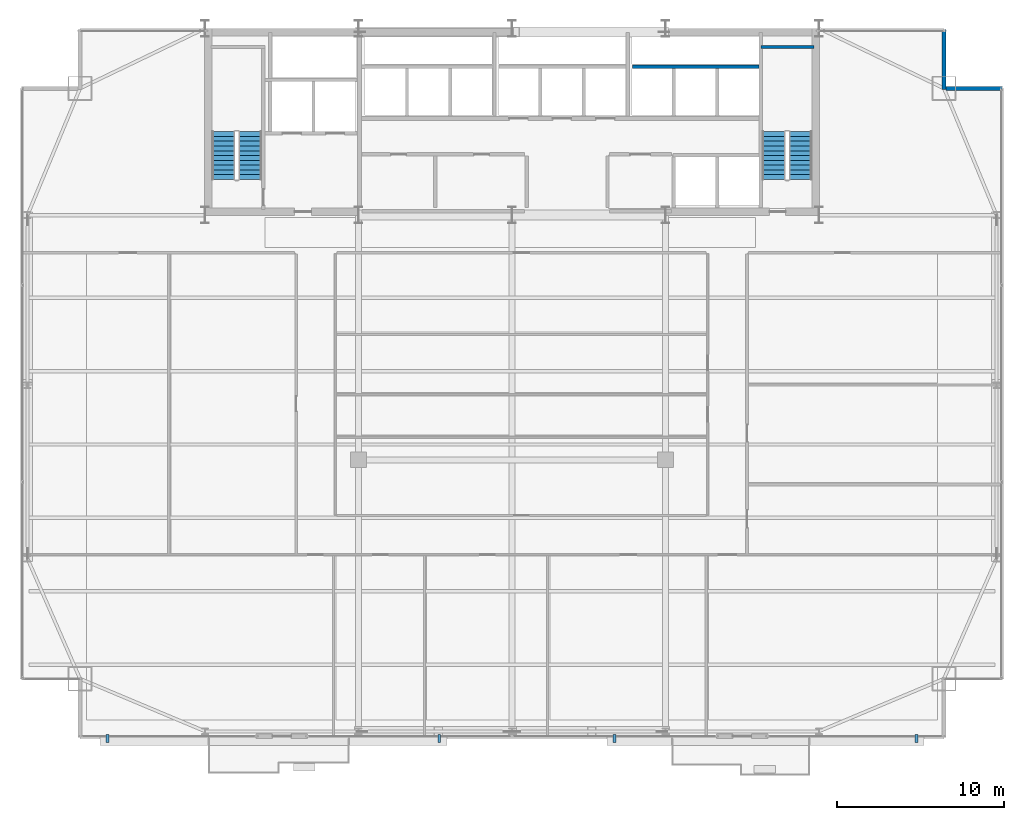
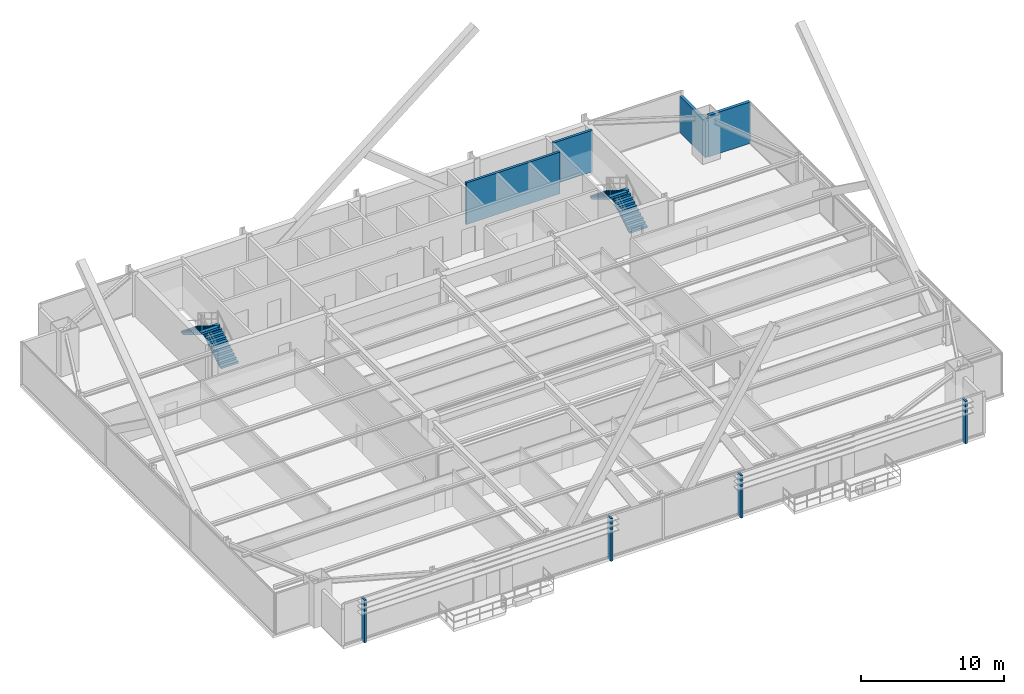
# One storey, part 35 of 37: 4 discrete accessories, 4 stair flights, 4 walls, 2 elements without a shape of their own.
"""IFC4 building model written with IfcOpenShell, lengths in metres."""

from ifc_helpers import new_model, si_unit, direction, frame, frame_2d, origin, origin_2d, place, context, subcontext, project, spatial, polyline, rectangle, outline, extrude, source, transform, mapped, material, layer, layer_set, type_object, type_shapes, element, aggregate, save


model = new_model("IFC4")

# Units and contexts
model_context = context("Model", 3, precision=1e-05, world=origin(), true_north=direction((0.0, 1.0)))
body_context = subcontext(model_context, "Body", "Model", "MODEL_VIEW")
ifc_project = project(units=[si_unit("LENGTHUNIT", "METRE"), si_unit("AREAUNIT", "SQUARE_METRE"), si_unit("VOLUMEUNIT", "CUBIC_METRE"), si_unit("PLANEANGLEUNIT", "RADIAN"), si_unit("MASSUNIT", "GRAM", prefix="KILO")], contexts=[model_context])

# Site, building, storey
site_placement = place(None, origin())
site = spatial("IfcSite", under=ifc_project, at=site_placement, CompositionType="ELEMENT")
building_placement = place(site_placement, origin())
building = spatial("IfcBuilding", under=site, at=building_placement, Name="Varnel Quay Broadcast Tower", CompositionType="ELEMENT")
storey_placement = place(building_placement, frame((0.0, 0.0, 103.0)))
storey = spatial("IfcBuildingStorey", under=building, at=storey_placement, Name="L24", CompositionType="ELEMENT", Elevation=103.0)

# Walls
ifc_material_1 = material(Name="Concrete CSA A23.3 C50/60", Category="concrete")
ifc_layer_1 = layer(ifc_material_1, 0.199951171875, Name="Concrete CSA A23.3 C50/60")
ifc_layer_set_1 = layer_set([ifc_layer_1], Name="Concrete CSA A23.3 C50/60")
wall_type_1 = type_object("IfcWallType", Name="Wall_CoreShaftShear200", PredefinedType="SHEAR", material=ifc_layer_set_1)
wall_1_placement = place(storey_placement, frame((48.919921875, 45.679931640625, 0.0), z_axis=(0.0, 0.0, 1.0), x_axis=(1.0, 0.0, 0.0)))
element("IfcWall", 1, at=wall_1_placement, inside=storey, type_object=wall_type_1, Name="L24 Stair 2 North Structural Wall", PredefinedType="SHEAR", context=body_context, shape_type="SweptSolid", body=[
    extrude(rectangle(XDim=3.18017578125, YDim=0.199951171875, at=frame_2d((1.590087890625, 0.0))), origin(), (0.0, 0.0, 1.0), 3.550048828125),
])
wall_2_placement = place(storey_placement, frame((41.219970703125, 44.5, 0.0), z_axis=(0.0, 0.0, 1.0), x_axis=(1.0, 0.0, 0.0)))
element("IfcWall", 2, at=wall_2_placement, inside=storey, type_object=wall_type_1, Name="L24 High-Rise Lift Shaft Rear Wall", PredefinedType="SHEAR", context=body_context, shape_type="SweptSolid", body=[
    extrude(rectangle(XDim=7.580078125, YDim=0.199951171875, at=frame_2d((3.7900390625, 0.0))), origin(), (0.0, 0.0, 1.0), 3.550048828125),
])
ifc_material_2 = material(Name="Precast Architectural Concrete C40/50", Category="concrete")
ifc_layer_2 = layer(ifc_material_2, 0.25, Name="Precast Architectural Concrete C40/50")
ifc_layer_set_2 = layer_set([ifc_layer_2], Name="Precast Architectural Concrete C40/50")
wall_type_2 = type_object("IfcWallType", Name="Wall_ExtTerrace250", PredefinedType="SOLIDWALL", material=ifc_layer_set_2)
wall_3_placement = place(storey_placement, frame((60.030029296875, 43.199951171875, 0.0), z_axis=(0.0, 0.0, 1.0), x_axis=(1.0, 0.0, 0.0)))
element("IfcWall", 3, at=wall_3_placement, inside=storey, type_object=wall_type_2, Name="L24 Mega-Column Notch Cladding Wall NNE1", PredefinedType="SOLIDWALL", context=body_context, shape_type="SweptSolid", body=[
    extrude(rectangle(XDim=3.389892578125, YDim=0.25, at=frame_2d((1.69482421875, 0.0))), origin(), (0.0, 0.0, 1.0), 3.530029296875),
])
wall_4_placement = place(storey_placement, frame((59.89990234375, 43.1201171875, 0.0), z_axis=(0.0, 0.0, 1.0), x_axis=(0.0, 1.0, 0.0)))
element("IfcWall", 4, at=wall_4_placement, inside=storey, type_object=wall_type_2, Name="L24 Mega-Column Notch Cladding Wall NNE2", PredefinedType="SOLIDWALL", context=body_context, shape_type="SweptSolid", body=[
    extrude(rectangle(XDim=3.599853515625, YDim=0.25, at=frame_2d((1.7998046875, 0.0))), origin(), (0.0, 0.0, 1.0), 3.10791015625),
])

# Stair, stair flights
ifc_material_3 = material(Name="Precast Structural Concrete C40/50", Category="concrete")
stair_type_1 = type_object("IfcStairType", Name="Stair_ST-01", PredefinedType="HALF_TURN_STAIR", material=ifc_material_3)
stair_1_placement = place(storey_placement, origin())
stair_1 = element("IfcStair", 5, at=stair_1_placement, inside=storey, type_object=stair_type_1, Name="L24 West Core Exit Stair 1", PredefinedType="HALF_TURN_STAIR")
stair_flight_type_1 = type_object("IfcStairFlightType", Name="Flight_ST-01", PredefinedType="STRAIGHT", material=ifc_material_3)
stair_flight_1_placement = place(storey_placement, frame((18.300048828125, 37.75, 0.0), z_axis=(0.0, 0.0, 1.0), x_axis=(0.0, 1.0, 0.0)))
stair_flight_1 = element("IfcStairFlight", 6, at=stair_flight_1_placement, type_object=stair_flight_type_1, Name="ST-01 flight 1", NumberOfRisers=11, NumberOfTreads=10, PredefinedType="STRAIGHT", RiserHeight=0.172727273, TreadLength=0.285, context=body_context, shape_type="SweptSolid", body=[
    extrude(outline(polyline([(0.0, 0.0), (0.0, 0.172607421875), (0.284912109375, 0.172607421875), (0.284912109375, 0.345458984375), (0.570068359375, 0.345458984375), (0.570068359375, 0.51806640625), (0.85498046875, 0.51806640625), (0.85498046875, 0.69091796875), (1.139892578125, 0.69091796875), (1.139892578125, 0.863525390625), (1.425048828125, 0.863525390625), (1.425048828125, 1.036376953125), (1.7099609375, 1.036376953125), (1.7099609375, 1.208984375), (1.9951171875, 1.208984375), (1.9951171875, 1.3818359375), (2.280029296875, 1.3818359375), (2.280029296875, 1.554443359375), (2.56494140625, 1.554443359375), (2.56494140625, 1.727294921875), (2.85009765625, 1.727294921875), (2.85009765625, 1.89990234375), (2.85009765625, 1.552001953125), (0.289306640625, 0.0), (0.0, 0.0)])), frame((0.0, 0.699951171875, 0.0), z_axis=(0.0, -1.0, 0.0), x_axis=(1.0, 0.0, 0.0)), (0.0, 0.0, 1.0), 1.39990234375),
])
stair_flight_2_placement = place(storey_placement, frame((16.699951171875, 40.60009765625, 1.89990234375), z_axis=(0.0, 0.0, 1.0), x_axis=(0.0, -1.0, 0.0)))
stair_flight_2 = element("IfcStairFlight", 7, at=stair_flight_2_placement, type_object=stair_flight_type_1, Name="ST-01 flight 2", NumberOfRisers=11, NumberOfTreads=10, PredefinedType="STRAIGHT", RiserHeight=0.172727273, TreadLength=0.285, context=body_context, shape_type="SweptSolid", body=[
    extrude(outline(polyline([(0.0, 0.0), (0.0, 0.172607421875), (0.284912109375, 0.172607421875), (0.284912109375, 0.345458984375), (0.570068359375, 0.345458984375), (0.570068359375, 0.51806640625), (0.85498046875, 0.51806640625), (0.85498046875, 0.69091796875), (1.139892578125, 0.69091796875), (1.139892578125, 0.863525390625), (1.425048828125, 0.863525390625), (1.425048828125, 1.036376953125), (1.7099609375, 1.036376953125), (1.7099609375, 1.208984375), (1.9951171875, 1.208984375), (1.9951171875, 1.3818359375), (2.280029296875, 1.3818359375), (2.280029296875, 1.554443359375), (2.56494140625, 1.554443359375), (2.56494140625, 1.727294921875), (2.85009765625, 1.727294921875), (2.85009765625, 1.89990234375), (2.85009765625, 1.552001953125), (0.289306640625, 0.0), (0.0, 0.0)])), frame((0.0, 0.699951171875, 0.0), z_axis=(0.0, -1.0, 0.0), x_axis=(1.0, 0.0, 0.0)), (0.0, 0.0, 1.0), 1.39990234375),
])
aggregate(stair_1, [stair_flight_1, stair_flight_2])

stair_type_2 = type_object("IfcStairType", Name="Stair_ST-02", PredefinedType="HALF_TURN_STAIR", material=ifc_material_3)
stair_2_placement = place(storey_placement, origin())
stair_2 = element("IfcStair", 8, at=stair_2_placement, inside=storey, type_object=stair_type_2, Name="L24 East Core Exit Stair 2", PredefinedType="HALF_TURN_STAIR")
stair_flight_type_2 = type_object("IfcStairFlightType", Name="Flight_ST-02", PredefinedType="STRAIGHT", material=ifc_material_3)
stair_flight_3_placement = place(storey_placement, frame((51.300048828125, 37.75, 0.0), z_axis=(0.0, 0.0, 1.0), x_axis=(0.0, 1.0, 0.0)))
stair_flight_3 = element("IfcStairFlight", 9, at=stair_flight_3_placement, type_object=stair_flight_type_2, Name="ST-02 flight 1", NumberOfRisers=11, NumberOfTreads=10, PredefinedType="STRAIGHT", RiserHeight=0.172727273, TreadLength=0.285, context=body_context, shape_type="SweptSolid", body=[
    extrude(outline(polyline([(0.0, 0.0), (0.0, 0.172607421875), (0.284912109375, 0.172607421875), (0.284912109375, 0.345458984375), (0.570068359375, 0.345458984375), (0.570068359375, 0.51806640625), (0.85498046875, 0.51806640625), (0.85498046875, 0.69091796875), (1.139892578125, 0.69091796875), (1.139892578125, 0.863525390625), (1.425048828125, 0.863525390625), (1.425048828125, 1.036376953125), (1.7099609375, 1.036376953125), (1.7099609375, 1.208984375), (1.9951171875, 1.208984375), (1.9951171875, 1.3818359375), (2.280029296875, 1.3818359375), (2.280029296875, 1.554443359375), (2.56494140625, 1.554443359375), (2.56494140625, 1.727294921875), (2.85009765625, 1.727294921875), (2.85009765625, 1.89990234375), (2.85009765625, 1.552001953125), (0.289306640625, 0.0), (0.0, 0.0)])), frame((0.0, 0.699951171875, 0.0), z_axis=(0.0, -1.0, 0.0), x_axis=(1.0, 0.0, 0.0)), (0.0, 0.0, 1.0), 1.39990234375),
])
stair_flight_4_placement = place(storey_placement, frame((49.699951171875, 40.60009765625, 1.89990234375), z_axis=(0.0, 0.0, 1.0), x_axis=(0.0, -1.0, 0.0)))
stair_flight_4 = element("IfcStairFlight", 10, at=stair_flight_4_placement, type_object=stair_flight_type_2, Name="ST-02 flight 2", NumberOfRisers=11, NumberOfTreads=10, PredefinedType="STRAIGHT", RiserHeight=0.172727273, TreadLength=0.285, context=body_context, shape_type="SweptSolid", body=[
    extrude(outline(polyline([(0.0, 0.0), (0.0, 0.172607421875), (0.284912109375, 0.172607421875), (0.284912109375, 0.345458984375), (0.570068359375, 0.345458984375), (0.570068359375, 0.51806640625), (0.85498046875, 0.51806640625), (0.85498046875, 0.69091796875), (1.139892578125, 0.69091796875), (1.139892578125, 0.863525390625), (1.425048828125, 0.863525390625), (1.425048828125, 1.036376953125), (1.7099609375, 1.036376953125), (1.7099609375, 1.208984375), (1.9951171875, 1.208984375), (1.9951171875, 1.3818359375), (2.280029296875, 1.3818359375), (2.280029296875, 1.554443359375), (2.56494140625, 1.554443359375), (2.56494140625, 1.727294921875), (2.85009765625, 1.727294921875), (2.85009765625, 1.89990234375), (2.85009765625, 1.552001953125), (0.289306640625, 0.0), (0.0, 0.0)])), frame((0.0, 0.699951171875, 0.0), z_axis=(0.0, -1.0, 0.0), x_axis=(1.0, 0.0, 0.0)), (0.0, 0.0, 1.0), 1.39990234375),
])
aggregate(stair_2, [stair_flight_3, stair_flight_4])

# Discrete accessories
ifc_material_4 = material(Name="Anodised Bronze Aluminium 6063-T6", Category="aluminium")
ifc_layer_3 = layer(ifc_material_4, 0.47998046875, Name="Anodised Bronze Aluminium 6063-T6")
ifc_layer_set_3 = layer_set([ifc_layer_3], Name="Anodised Bronze Aluminium 6063-T6")
discrete_accessory_type = type_object("IfcDiscreteAccessoryType", Name="Acc_FacadeBracket", PredefinedType="BRACKET", material=ifc_layer_set_3)
shared_shape = source(origin(), body_context, "Body", "SweptSolid", [
    extrude(rectangle(XDim=0.159912109375, YDim=0.47998046875, at=origin_2d()), origin(), (0.0, 0.0, 1.0), 3.64990234375),
])
type_shapes(discrete_accessory_type, [shared_shape])
for number, where, z_axis, x_axis, name in (
    (11, (9.75, 4.219970703125, -0.14990234375), (0.0, 0.0, 1.0), (1.0, 0.0, 0.0), "L24 Lobe 1 Louvre Support Bracket 1"),
    (12, (29.64501953125, 4.219970703125, -0.14990234375), (0.0, 0.0, 1.0), (1.0, 0.0, 0.0), "L24 Lobe 1 Louvre Support Bracket 2"),
    (13, (40.14501953125, 4.219970703125, -0.14990234375), (0.0, 0.0, 1.0), (1.0, 0.0, 0.0), "L24 Lobe 2 Louvre Support Bracket 1"),
    (14, (58.25, 4.219970703125, -0.14990234375), (0.0, 0.0, 1.0), (1.0, 0.0, 0.0), "L24 Lobe 2 Louvre Support Bracket 2"),
):
    element("IfcDiscreteAccessory", number, at=place(storey_placement, frame(where, z_axis=z_axis, x_axis=x_axis)), inside=storey, type_object=discrete_accessory_type, Name=name, PredefinedType="BRACKET", context=body_context, shape_type="MappedRepresentation", body=[
        mapped(shared_shape, transform((0.0, 0.0, 0.0), x_axis=(1.0, 0.0, 0.0), y_axis=(0.0, 1.0, 0.0), z_axis=(0.0, 0.0, 1.0), scale=1.0)),
    ])

save(model, "model.ifc")
